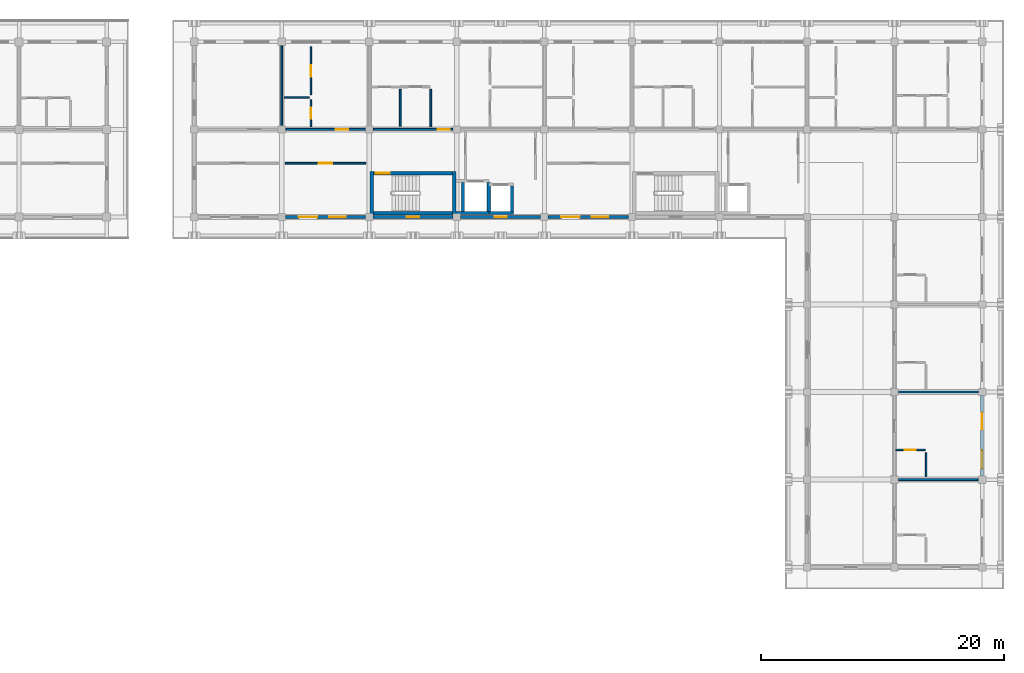
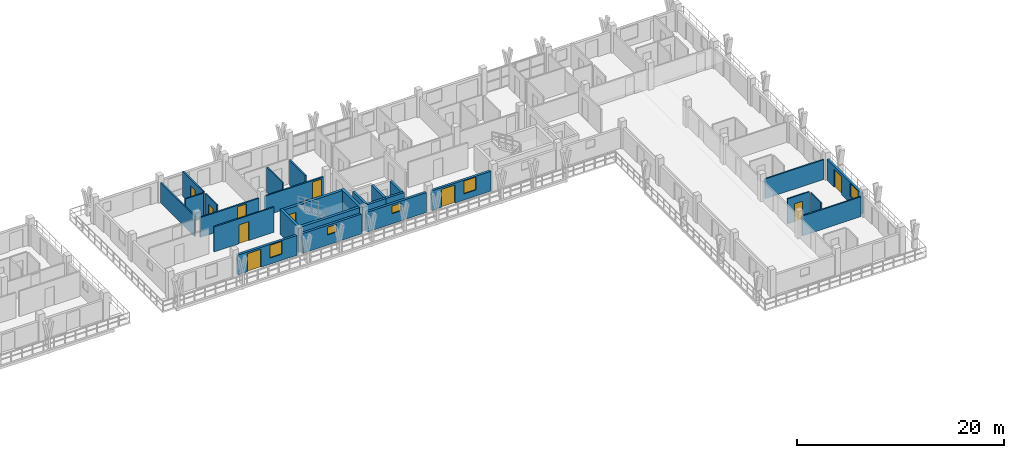
# One storey, part 57 of 78: 27 walls, 10 doors, 5 windows, 15 openings.
"""IFC4 building model written with IfcOpenShell, lengths in metres."""

from ifc_helpers import new_model, si_unit, direction, frame, frame_2d, origin, place, context, subcontext, project, spatial, rectangle, extrude, material, layer, layer_set, type_object, element, fill, save


model = new_model("IFC4")

# Units and contexts
model_context = context("Model", 3, precision=1e-05, world=origin(), true_north=direction((0.0, 1.0)))
body_context = subcontext(model_context, "Body", "Model", "MODEL_VIEW")
ifc_project = project(units=[si_unit("LENGTHUNIT", "METRE"), si_unit("AREAUNIT", "SQUARE_METRE"), si_unit("VOLUMEUNIT", "CUBIC_METRE"), si_unit("PLANEANGLEUNIT", "RADIAN"), si_unit("MASSUNIT", "GRAM", prefix="KILO")], contexts=[model_context])

# Site, building, storey
site_placement = place(None, origin())
site = spatial("IfcSite", under=ifc_project, at=site_placement, CompositionType="ELEMENT")
building_placement = place(site_placement, origin())
building = spatial("IfcBuilding", under=site, at=building_placement, Name="Suanplinth Sawtooth Commons", CompositionType="ELEMENT")
storey_placement = place(building_placement, frame((0.0, 0.0, 15.39990234375)))
storey = spatial("IfcBuildingStorey", under=building, at=storey_placement, Name="L04", CompositionType="ELEMENT", Elevation=15.39990234375)

# Wall
ifc_material_1 = material(Name="Concrete C40/50", Category="concrete")
ifc_layer_1 = layer(ifc_material_1, 0.300048828125, Name="Standard RC stair and lift core wall 300mm")
ifc_layer_set_1 = layer_set([ifc_layer_1], Name="Concrete C40/50")
wall_type_1 = type_object("IfcWallType", Name="W-CR02", PredefinedType="SHEAR", material=ifc_layer_set_1)
wall_1_placement = place(storey_placement, frame((137.14990234375, 108.300048828125, 0.0), z_axis=(0.0, 0.0, 1.0), x_axis=(1.0, 0.0, 0.0)))
element("IfcWall", 1, at=wall_1_placement, inside=storey, type_object=wall_type_1, Name="W-L04-C-B1-STS", PredefinedType="SHEAR", context=body_context, shape_type="SweptSolid", body=[
    extrude(rectangle(XDim=6.5, YDim=0.300048828125, at=frame_2d((3.25, 0.0))), origin(), (0.0, 0.0, 1.0), 2.9501953125),
])

# Wall, opening, door
wall_2_placement = place(storey_placement, frame((137.14990234375, 111.60009765625, 0.0), z_axis=(0.0, 0.0, 1.0), x_axis=(1.0, 0.0, 0.0)))
wall_2 = element("IfcWall", 2, at=wall_2_placement, inside=storey, type_object=wall_type_1, Name="W-L04-C-B1-STN", PredefinedType="SHEAR", context=body_context, shape_type="SweptSolid", body=[
    extrude(rectangle(XDim=6.5, YDim=0.300048828125, at=frame_2d((3.25, 0.0))), origin(), (0.0, 0.0, 1.0), 2.9501953125),
])
opening_1_placement = place(wall_2_placement, frame((0.179931640625, 0.0, 0.0)))
opening_1 = element("IfcOpeningElement", 3, at=opening_1_placement, cuts=wall_2, Name="Opening FD0179", PredefinedType="OPENING", context=body_context, shape_type="SweptSolid", body=[
    extrude(rectangle(XDim=1.14990234375, YDim=2.199951171875, at=frame_2d((0.574951171875, 1.10009765625))), frame((0.0, 0.1650390625, 0.0), z_axis=(0.0, -1.0, 0.0), x_axis=(1.0, 0.0, 0.0)), (0.0, 0.0, 1.0), 0.329833984375),
])
ifc_material_2 = material(Name="Teak hardwood fire-rated door assembly", Category="wood")
door_type_1 = type_object("IfcDoorType", Name="FD-01", OperationType="NOTDEFINED", PredefinedType="DOOR", material=ifc_material_2)
door_1_placement = place(opening_1_placement, frame((1.14990234375, 0.0, 0.0), z_axis=(0.0, 0.0, 1.0), x_axis=(-1.0, 0.0, 0.0)))
door_1 = element("IfcDoor", 4, at=door_1_placement, inside=storey, type_object=door_type_1, Name="Exit Stair Fire Door FD0179", OperationType="SINGLE_SWING_LEFT", OverallHeight=2.199951171875, OverallWidth=1.14990234375, PredefinedType="DOOR", context=body_context, shape_type="SweptSolid", body=[
    extrude(rectangle(XDim=1.14990234375, YDim=2.199951171875, at=frame_2d((0.574951171875, 1.10009765625))), frame((0.0, 0.02490234375, 0.0), z_axis=(0.0, -1.0, 0.0), x_axis=(1.0, 0.0, 0.0)), (0.0, 0.0, 1.0), 0.050048828125),
])
fill(opening_1, door_1)

# Walls
for number, where, z_axis, x_axis, name in (
    (5, (137.0, 108.14990234375, 0.0), (0.0, 0.0, 1.0), (0.0, 1.0, 0.0), "W-L04-C-B1-STW"),
    (6, (143.800048828125, 108.14990234375, 0.0), (0.0, 0.0, 1.0), (0.0, 1.0, 0.0), "W-L04-C-B1-STE"),
):
    element("IfcWall", number, at=place(storey_placement, frame(where, z_axis=z_axis, x_axis=x_axis)), inside=storey, type_object=wall_type_1, Name=name, PredefinedType="SHEAR", context=body_context, shape_type="SweptSolid", body=[
        extrude(rectangle(XDim=3.60009765625, YDim=0.300048828125, at=frame_2d((1.800048828125, 0.0))), origin(), (0.0, 0.0, 1.0), 2.9501953125),
    ])

# Wall, openings, door, window
ifc_material_3 = material(Name="Precast concrete C40/50", Category="concrete")
ifc_layer_2 = layer(ifc_material_3, 0.260009765625, Name="Insulated precast courtyard facade wall 260mm")
ifc_layer_set_2 = layer_set([ifc_layer_2], Name="Precast concrete C40/50")
wall_type_2 = type_object("IfcWallType", Name="W-EX02", PredefinedType="ELEMENTEDWALL", material=ifc_layer_set_2)
wall_3_placement = place(storey_placement, frame((129.89990234375, 108.0, 0.0), z_axis=(0.0, 0.0, 1.0), x_axis=(1.0, 0.0, 0.0)))
wall_3 = element("IfcWall", 7, at=wall_3_placement, inside=storey, type_object=wall_type_2, Name="Facade Wall W-L04-B-S-18-15", PredefinedType="ELEMENTEDWALL", context=body_context, shape_type="SweptSolid", body=[
    extrude(rectangle(XDim=6.60009765625, YDim=0.260009765625, at=frame_2d((3.300048828125, 0.0))), origin(), (0.0, 0.0, 1.0), 2.335205078125),
])
opening_2_placement = place(wall_3_placement, frame((1.10009765625, 0.0, 0.0)))
opening_2 = element("IfcOpeningElement", 8, at=opening_2_placement, cuts=wall_3, Name="Opening ED0338", PredefinedType="OPENING", context=body_context, shape_type="SweptSolid", body=[
    extrude(rectangle(XDim=1.5, YDim=2.1201171875, at=frame_2d((0.75, 1.06005859375))), frame((0.0, 0.14501953125, 0.0), z_axis=(0.0, -1.0, 0.0), x_axis=(1.0, 0.0, 0.0)), (0.0, 0.0, 1.0), 0.289794921875),
])
opening_3_placement = place(wall_3_placement, frame((3.60009765625, 0.0, 0.72509765625)))
opening_3 = element("IfcOpeningElement", 9, at=opening_3_placement, cuts=wall_3, Name="Opening W0436", PredefinedType="OPENING", context=body_context, shape_type="SweptSolid", body=[
    extrude(rectangle(XDim=1.35009765625, YDim=1.5, at=frame_2d((0.675048828125, 0.75))), frame((0.0, 0.14501953125, 0.0), z_axis=(0.0, -1.0, 0.0), x_axis=(1.0, 0.0, 0.0)), (0.0, 0.0, 1.0), 0.289794921875),
])
ifc_material_4 = material(Name="Anodized aluminium and low-E glass", Category="aluminium")
door_type_2 = type_object("IfcDoorType", Name="SD-03", OperationType="SLIDING_TO_LEFT", PredefinedType="DOOR", material=ifc_material_4)
door_2_placement = place(opening_2_placement, frame((1.5, 0.0, 0.0), z_axis=(0.0, 0.0, 1.0), x_axis=(-1.0, 0.0, 0.0)))
door_2 = element("IfcDoor", 10, at=door_2_placement, inside=storey, type_object=door_type_2, Name="Courtyard Balcony Door L04-B-18", OperationType="SLIDING_TO_LEFT", OverallHeight=2.1201171875, OverallWidth=1.5, PredefinedType="DOOR", context=body_context, shape_type="SweptSolid", body=[
    extrude(rectangle(XDim=1.5, YDim=2.1201171875, at=frame_2d((0.75, 1.06005859375))), frame((0.0, 0.02490234375, 0.0), z_axis=(0.0, -1.0, 0.0), x_axis=(1.0, 0.0, 0.0)), (0.0, 0.0, 1.0), 0.050048828125),
])
fill(opening_2, door_2)
ifc_material_5 = material(Name="Thermally broken aluminium and low-E double glazing", Category="aluminium")
window_type_1 = type_object("IfcWindowType", Name="WN-14", PartitioningType="SINGLE_PANEL", PredefinedType="WINDOW", material=ifc_material_5)
window_1_placement = place(opening_3_placement, origin())
window_1 = element("IfcWindow", 11, at=window_1_placement, inside=storey, type_object=window_type_1, Name="Courtyard Window L04-B-18", OverallHeight=1.5, OverallWidth=1.35009765625, PartitioningType="SINGLE_PANEL", PredefinedType="WINDOW", context=body_context, shape_type="SweptSolid", body=[
    extrude(rectangle(XDim=1.35009765625, YDim=1.5, at=frame_2d((0.675048828125, 0.75))), frame((0.0, 0.030029296875, 0.0), z_axis=(0.0, -1.0, 0.0), x_axis=(1.0, 0.0, 0.0)), (0.0, 0.0, 1.0), 0.06005859375),
])
fill(opening_3, window_1)

# Wall, opening, window
wall_4_placement = place(storey_placement, frame((137.10009765625, 108.0, 0.0), z_axis=(0.0, 0.0, 1.0), x_axis=(1.0, 0.0, 0.0)))
wall_4 = element("IfcWall", 12, at=wall_4_placement, inside=storey, type_object=wall_type_2, Name="Facade Wall W-L04-B-S-19-15", PredefinedType="ELEMENTEDWALL", context=body_context, shape_type="SweptSolid", body=[
    extrude(rectangle(XDim=6.599853515625, YDim=0.260009765625, at=frame_2d((3.2998046875, 0.0))), origin(), (0.0, 0.0, 1.0), 2.335205078125),
])
opening_4_placement = place(wall_4_placement, frame((2.800048828125, 0.0, 1.199951171875)))
opening_4 = element("IfcOpeningElement", 13, at=opening_4_placement, cuts=wall_4, Name="Opening W0438", PredefinedType="OPENING", context=body_context, shape_type="SweptSolid", body=[
    extrude(rectangle(XDim=1.0, YDim=0.89990234375, at=frame_2d((0.5, 0.449951171875))), frame((0.0, 0.14501953125, 0.0), z_axis=(0.0, -1.0, 0.0), x_axis=(1.0, 0.0, 0.0)), (0.0, 0.0, 1.0), 0.289794921875),
])
window_type_2 = type_object("IfcWindowType", Name="WN-12", PartitioningType="SINGLE_PANEL", PredefinedType="WINDOW", material=ifc_material_5)
window_2_placement = place(opening_4_placement, origin())
window_2 = element("IfcWindow", 14, at=window_2_placement, inside=storey, type_object=window_type_2, Name="Core Daylight Window L04-B-19-15", OverallHeight=0.89990234375, OverallWidth=1.0, PartitioningType="SINGLE_PANEL", PredefinedType="WINDOW", context=body_context, shape_type="SweptSolid", body=[
    extrude(rectangle(XDim=1.0, YDim=0.89990234375, at=frame_2d((0.5, 0.449951171875))), frame((0.0, 0.030029296875, 0.0), z_axis=(0.0, -1.0, 0.0), x_axis=(1.0, 0.0, 0.0)), (0.0, 0.0, 1.0), 0.06005859375),
])
fill(opening_4, window_2)

wall_5_placement = place(storey_placement, frame((144.300048828125, 108.0, 0.0), z_axis=(0.0, 0.0, 1.0), x_axis=(1.0, 0.0, 0.0)))
wall_5 = element("IfcWall", 15, at=wall_5_placement, inside=storey, type_object=wall_type_2, Name="Facade Wall W-L04-B-S-20-15", PredefinedType="ELEMENTEDWALL", context=body_context, shape_type="SweptSolid", body=[
    extrude(rectangle(XDim=6.599853515625, YDim=0.260009765625, at=frame_2d((3.2998046875, 0.0))), origin(), (0.0, 0.0, 1.0), 2.335205078125),
])
opening_5_placement = place(wall_5_placement, frame((2.800048828125, 0.0, 1.199951171875)))
opening_5 = element("IfcOpeningElement", 16, at=opening_5_placement, cuts=wall_5, Name="Opening W0440", PredefinedType="OPENING", context=body_context, shape_type="SweptSolid", body=[
    extrude(rectangle(XDim=1.0, YDim=0.89990234375, at=frame_2d((0.5, 0.449951171875))), frame((0.0, 0.14501953125, 0.0), z_axis=(0.0, -1.0, 0.0), x_axis=(1.0, 0.0, 0.0)), (0.0, 0.0, 1.0), 0.289794921875),
])
window_3_placement = place(opening_5_placement, origin())
window_3 = element("IfcWindow", 17, at=window_3_placement, inside=storey, type_object=window_type_2, Name="Core Daylight Window L04-B-20-15", OverallHeight=0.89990234375, OverallWidth=1.0, PartitioningType="SINGLE_PANEL", PredefinedType="WINDOW", context=body_context, shape_type="SweptSolid", body=[
    extrude(rectangle(XDim=1.0, YDim=0.89990234375, at=frame_2d((0.5, 0.449951171875))), frame((0.0, 0.030029296875, 0.0), z_axis=(0.0, -1.0, 0.0), x_axis=(1.0, 0.0, 0.0)), (0.0, 0.0, 1.0), 0.06005859375),
])
fill(opening_5, window_3)

# Wall, openings, door, window
wall_6_placement = place(storey_placement, frame((151.5, 108.0, 0.0), z_axis=(0.0, 0.0, 1.0), x_axis=(1.0, 0.0, 0.0)))
wall_6 = element("IfcWall", 18, at=wall_6_placement, inside=storey, type_object=wall_type_2, Name="Facade Wall W-L04-B-S-21-15", PredefinedType="ELEMENTEDWALL", context=body_context, shape_type="SweptSolid", body=[
    extrude(rectangle(XDim=6.60009765625, YDim=0.260009765625, at=frame_2d((3.300048828125, 0.0))), origin(), (0.0, 0.0, 1.0), 2.335205078125),
])
opening_6_placement = place(wall_6_placement, frame((1.10009765625, 0.0, 0.0)))
opening_6 = element("IfcOpeningElement", 19, at=opening_6_placement, cuts=wall_6, Name="Opening ED0341", PredefinedType="OPENING", context=body_context, shape_type="SweptSolid", body=[
    extrude(rectangle(XDim=1.5, YDim=2.1201171875, at=frame_2d((0.75, 1.06005859375))), frame((0.0, 0.14501953125, 0.0), z_axis=(0.0, -1.0, 0.0), x_axis=(1.0, 0.0, 0.0)), (0.0, 0.0, 1.0), 0.289794921875),
])
opening_7_placement = place(wall_6_placement, frame((3.60009765625, 0.0, 0.72509765625)))
opening_7 = element("IfcOpeningElement", 20, at=opening_7_placement, cuts=wall_6, Name="Opening W0441", PredefinedType="OPENING", context=body_context, shape_type="SweptSolid", body=[
    extrude(rectangle(XDim=1.35009765625, YDim=1.5, at=frame_2d((0.675048828125, 0.75))), frame((0.0, 0.14501953125, 0.0), z_axis=(0.0, -1.0, 0.0), x_axis=(1.0, 0.0, 0.0)), (0.0, 0.0, 1.0), 0.289794921875),
])
door_3_placement = place(opening_6_placement, frame((1.5, 0.0, 0.0), z_axis=(0.0, 0.0, 1.0), x_axis=(-1.0, 0.0, 0.0)))
door_3 = element("IfcDoor", 21, at=door_3_placement, inside=storey, type_object=door_type_2, Name="Courtyard Balcony Door L04-B-21", OperationType="SLIDING_TO_LEFT", OverallHeight=2.1201171875, OverallWidth=1.5, PredefinedType="DOOR", context=body_context, shape_type="SweptSolid", body=[
    extrude(rectangle(XDim=1.5, YDim=2.1201171875, at=frame_2d((0.75, 1.06005859375))), frame((0.0, 0.02490234375, 0.0), z_axis=(0.0, -1.0, 0.0), x_axis=(1.0, 0.0, 0.0)), (0.0, 0.0, 1.0), 0.050048828125),
])
fill(opening_6, door_3)
window_4_placement = place(opening_7_placement, origin())
window_4 = element("IfcWindow", 22, at=window_4_placement, inside=storey, type_object=window_type_1, Name="Courtyard Window L04-B-21", OverallHeight=1.5, OverallWidth=1.35009765625, PartitioningType="SINGLE_PANEL", PredefinedType="WINDOW", context=body_context, shape_type="SweptSolid", body=[
    extrude(rectangle(XDim=1.35009765625, YDim=1.5, at=frame_2d((0.675048828125, 0.75))), frame((0.0, 0.030029296875, 0.0), z_axis=(0.0, -1.0, 0.0), x_axis=(1.0, 0.0, 0.0)), (0.0, 0.0, 1.0), 0.06005859375),
])
fill(opening_7, window_4)

wall_7_placement = place(storey_placement, frame((187.199951171875, 86.699951171875, 0.0), z_axis=(0.0, 0.0, 1.0), x_axis=(0.0, 1.0, 0.0)))
wall_7 = element("IfcWall", 23, at=wall_7_placement, inside=storey, type_object=wall_type_2, Name="Facade Wall W-L04-B-E-25-12", PredefinedType="ELEMENTEDWALL", context=body_context, shape_type="SweptSolid", body=[
    extrude(rectangle(XDim=6.60009765625, YDim=0.260009765625, at=frame_2d((3.300048828125, 0.0))), origin(), (0.0, 0.0, 1.0), 2.43017578125),
])
opening_8_placement = place(wall_7_placement, frame((3.800048828125, 0.0, 0.0)))
opening_8 = element("IfcOpeningElement", 24, at=opening_8_placement, cuts=wall_7, Name="Opening ED0351", PredefinedType="OPENING", context=body_context, shape_type="SweptSolid", body=[
    extrude(rectangle(XDim=1.39990234375, YDim=2.10009765625, at=frame_2d((0.699951171875, 1.050048828125))), frame((0.0, 0.14501953125, 0.0), z_axis=(0.0, -1.0, 0.0), x_axis=(1.0, 0.0, 0.0)), (0.0, 0.0, 1.0), 0.289794921875),
])
opening_9_placement = place(wall_7_placement, frame((0.60009765625, 0.0, 0.81005859375)))
opening_9 = element("IfcOpeningElement", 25, at=opening_9_placement, cuts=wall_7, Name="Opening W0449", PredefinedType="OPENING", context=body_context, shape_type="SweptSolid", body=[
    extrude(rectangle(XDim=1.5, YDim=1.5, at=frame_2d((0.75, 0.75))), frame((0.0, 0.14501953125, 0.0), z_axis=(0.0, -1.0, 0.0), x_axis=(1.0, 0.0, 0.0)), (0.0, 0.0, 1.0), 0.289794921875),
])
door_type_3 = type_object("IfcDoorType", Name="SD-07", OperationType="SLIDING_TO_RIGHT", PredefinedType="DOOR", material=ifc_material_4)
door_4_placement = place(opening_8_placement, frame((1.39990234375, 0.0, 0.0), z_axis=(0.0, 0.0, 1.0), x_axis=(-1.0, 0.0, 0.0)))
door_4 = element("IfcDoor", 26, at=door_4_placement, inside=storey, type_object=door_type_3, Name="Wing Balcony Sliding Door L04-B-12", OperationType="SLIDING_TO_RIGHT", OverallHeight=2.10009765625, OverallWidth=1.39990234375, PredefinedType="DOOR", context=body_context, shape_type="SweptSolid", body=[
    extrude(rectangle(XDim=1.39990234375, YDim=2.10009765625, at=frame_2d((0.699951171875, 1.050048828125))), frame((0.0, 0.02490234375, 0.0), z_axis=(0.0, -1.0, 0.0), x_axis=(1.0, 0.0, 0.0)), (0.0, 0.0, 1.0), 0.050048828125),
])
fill(opening_8, door_4)
window_type_3 = type_object("IfcWindowType", Name="WN-02", PartitioningType="DOUBLE_PANEL_VERTICAL", PredefinedType="WINDOW", material=ifc_material_5)
window_5_placement = place(opening_9_placement, origin())
window_5 = element("IfcWindow", 27, at=window_5_placement, inside=storey, type_object=window_type_3, Name="Wing Window L04-B-12", OverallHeight=1.5, OverallWidth=1.5, PartitioningType="DOUBLE_PANEL_VERTICAL", PredefinedType="WINDOW", context=body_context, shape_type="SweptSolid", body=[
    extrude(rectangle(XDim=1.5, YDim=1.5, at=frame_2d((0.75, 0.75))), frame((0.0, 0.030029296875, 0.0), z_axis=(0.0, -1.0, 0.0), x_axis=(1.0, 0.0, 0.0)), (0.0, 0.0, 1.0), 0.06005859375),
])
fill(opening_9, window_5)

# Wall, opening, door
ifc_layer_3 = layer(ifc_material_3, 0.159912109375, Name="Fire-rated corridor and lobby wall 160mm")
ifc_layer_set_3 = layer_set([ifc_layer_3], Name="Precast concrete C40/50")
wall_type_3 = type_object("IfcWallType", Name="W-FW01", PredefinedType="PARTITIONING", material=ifc_layer_set_3)
wall_8_placement = place(storey_placement, frame((129.929931640625, 115.199951171875, 0.0), z_axis=(0.0, 0.0, 1.0), x_axis=(1.0, 0.0, 0.0)))
wall_8 = element("IfcWall", 28, at=wall_8_placement, inside=storey, type_object=wall_type_3, Name="W-B-L04-U02-COR", PredefinedType="PARTITIONING", context=body_context, shape_type="SweptSolid", body=[
    extrude(rectangle(XDim=6.5400390625, YDim=0.159912109375, at=frame_2d((3.27001953125, 0.0))), origin(), (0.0, 0.0, 1.0), 2.335205078125),
])
opening_10_placement = place(wall_8_placement, frame((4.1201171875, 0.0, 0.0)))
opening_10 = element("IfcOpeningElement", 29, at=opening_10_placement, cuts=wall_8, Name="Opening FD1096", PredefinedType="OPENING", context=body_context, shape_type="SweptSolid", body=[
    extrude(rectangle(XDim=1.0, YDim=2.14990234375, at=frame_2d((0.5, 1.074951171875))), frame((0.0, 0.0947265625, 0.0), z_axis=(0.0, -1.0, 0.0), x_axis=(1.0, 0.0, 0.0)), (0.0, 0.0, 1.0), 0.189697265625),
])
door_type_4 = type_object("IfcDoorType", Name="FD-03", OperationType="NOTDEFINED", PredefinedType="DOOR", material=ifc_material_2)
door_5_placement = place(opening_10_placement, origin())
door_5 = element("IfcDoor", 30, at=door_5_placement, inside=storey, type_object=door_type_4, Name="Unit Entrance Door FD1096", OperationType="SINGLE_SWING_RIGHT", OverallHeight=2.14990234375, OverallWidth=1.0, PredefinedType="DOOR", context=body_context, shape_type="SweptSolid", body=[
    extrude(rectangle(XDim=1.0, YDim=2.14990234375, at=frame_2d((0.5, 1.074951171875))), frame((0.0, 0.02490234375, 0.0), z_axis=(0.0, -1.0, 0.0), x_axis=(1.0, 0.0, 0.0)), (0.0, 0.0, 1.0), 0.050048828125),
])
fill(opening_10, door_5)

wall_9_placement = place(storey_placement, frame((137.1298828125, 115.199951171875, 0.0), z_axis=(0.0, 0.0, 1.0), x_axis=(1.0, 0.0, 0.0)))
wall_9 = element("IfcWall", 31, at=wall_9_placement, inside=storey, type_object=wall_type_3, Name="W-B-L04-U03-COR-S1", PredefinedType="PARTITIONING", context=body_context, shape_type="SweptSolid", body=[
    extrude(rectangle(XDim=6.5400390625, YDim=0.159912109375, at=frame_2d((3.27001953125, 0.0))), origin(), (0.0, 0.0, 1.0), 2.335205078125),
])
opening_11_placement = place(wall_9_placement, frame((5.300048828125, 0.0, 0.0)))
opening_11 = element("IfcOpeningElement", 32, at=opening_11_placement, cuts=wall_9, Name="Opening FD1099", PredefinedType="OPENING", context=body_context, shape_type="SweptSolid", body=[
    extrude(rectangle(XDim=1.0, YDim=2.14990234375, at=frame_2d((0.5, 1.074951171875))), frame((0.0, 0.0947265625, 0.0), z_axis=(0.0, -1.0, 0.0), x_axis=(1.0, 0.0, 0.0)), (0.0, 0.0, 1.0), 0.189697265625),
])
door_6_placement = place(opening_11_placement, origin())
door_6 = element("IfcDoor", 33, at=door_6_placement, inside=storey, type_object=door_type_4, Name="Unit Entrance Door FD1099", OperationType="SINGLE_SWING_LEFT", OverallHeight=2.14990234375, OverallWidth=1.0, PredefinedType="DOOR", context=body_context, shape_type="SweptSolid", body=[
    extrude(rectangle(XDim=1.0, YDim=2.14990234375, at=frame_2d((0.5, 1.074951171875))), frame((0.0, 0.02490234375, 0.0), z_axis=(0.0, -1.0, 0.0), x_axis=(1.0, 0.0, 0.0)), (0.0, 0.0, 1.0), 0.050048828125),
])
fill(opening_11, door_6)

wall_10_placement = place(storey_placement, frame((129.8798828125, 112.419921875, 0.0), z_axis=(0.0, 0.0, 1.0), x_axis=(1.0, 0.0, 0.0)))
wall_10 = element("IfcWall", 34, at=wall_10_placement, inside=storey, type_object=wall_type_3, Name="W-B-L04-COURTROOM-32-COR", PredefinedType="PARTITIONING", context=body_context, shape_type="SweptSolid", body=[
    extrude(rectangle(XDim=6.64013671875, YDim=0.159912109375, at=frame_2d((3.320068359375, 0.0))), origin(), (0.0, 0.0, 1.0), 2.9501953125),
])
opening_12_placement = place(wall_10_placement, frame((2.780029296875, 0.0, 0.0)))
opening_12 = element("IfcOpeningElement", 35, at=opening_12_placement, cuts=wall_10, Name="Opening D1120", PredefinedType="OPENING", context=body_context, shape_type="SweptSolid", body=[
    extrude(rectangle(XDim=1.080078125, YDim=2.219970703125, at=frame_2d((0.5400390625, 1.10986328125))), frame((0.0, 0.0947265625, 0.0), z_axis=(0.0, -1.0, 0.0), x_axis=(1.0, 0.0, 0.0)), (0.0, 0.0, 1.0), 0.189697265625),
])
ifc_material_6 = material(Name="Teak hardwood", Category="wood")
door_type_5 = type_object("IfcDoorType", Name="D-17", OperationType="NOTDEFINED", PredefinedType="DOOR", material=ifc_material_6)
door_7_placement = place(opening_12_placement, frame((1.080078125, 0.0, 0.0), z_axis=(0.0, 0.0, 1.0), x_axis=(-1.0, 0.0, 0.0)))
door_7 = element("IfcDoor", 36, at=door_7_placement, inside=storey, type_object=door_type_5, Name="Study Studio Door D1120", OperationType="SINGLE_SWING_RIGHT", OverallHeight=2.219970703125, OverallWidth=1.080078125, PredefinedType="DOOR", context=body_context, shape_type="SweptSolid", body=[
    extrude(rectangle(XDim=1.080078125, YDim=2.219970703125, at=frame_2d((0.5400390625, 1.10986328125))), frame((0.0, 0.02490234375, 0.0), z_axis=(0.0, -1.0, 0.0), x_axis=(1.0, 0.0, 0.0)), (0.0, 0.0, 1.0), 0.050048828125),
])
fill(opening_12, door_7)

# Walls
ifc_layer_4 = layer(ifc_material_3, 0.14990234375, Name="Acoustic precast party demising wall 150mm")
ifc_layer_set_4 = layer_set([ifc_layer_4], Name="Precast concrete C40/50")
wall_type_4 = type_object("IfcWallType", Name="W-FW02", PredefinedType="PARTITIONING", material=ifc_layer_set_4)
wall_11_placement = place(storey_placement, frame((129.60009765625, 115.530029296875, 0.0), z_axis=(0.0, 0.0, 1.0), x_axis=(0.0, 1.0, 0.0)))
element("IfcWall", 37, at=wall_11_placement, inside=storey, type_object=wall_type_4, Name="W-B-L04-U01-PTY", PredefinedType="PARTITIONING", context=body_context, shape_type="SweptSolid", body=[
    extrude(rectangle(XDim=6.5400390625, YDim=0.14990234375, at=frame_2d((3.27001953125, 0.0))), origin(), (0.0, 0.0, 1.0), 2.385009765625),
])
for number, where, z_axis, x_axis, name in (
    (38, (180.330078125, 86.39990234375, 0.0), (0.0, 0.0, 1.0), (1.0, 0.0, 0.0), "W-B-L04-L01-PTY"),
    (39, (180.330078125, 93.60009765625, 0.0), (0.0, 0.0, 1.0), (1.0, 0.0, 0.0), "W-B-L04-L02-PTY"),
):
    element("IfcWall", number, at=place(storey_placement, frame(where, z_axis=z_axis, x_axis=x_axis)), inside=storey, type_object=wall_type_4, Name=name, PredefinedType="PARTITIONING", context=body_context, shape_type="SweptSolid", body=[
        extrude(rectangle(XDim=6.5400390625, YDim=0.14990234375, at=frame_2d((3.27001953125, 0.0))), origin(), (0.0, 0.0, 1.0), 2.335205078125),
    ])

# Wall, opening, door
ifc_material_7 = material(Name="Gypsum plasterboard on steel stud", Category="steel")
ifc_layer_5 = layer(ifc_material_7, 0.139892578125, Name="Fire-rated kitchen partition 140mm")
ifc_layer_set_5 = layer_set([ifc_layer_5], Name="Gypsum plasterboard on steel stud")
wall_type_5 = type_object("IfcWallType", Name="W-PT01", PredefinedType="PARTITIONING", material=ifc_layer_set_5)
wall_12_placement = place(storey_placement, frame((131.9951171875, 118.0400390625, 0.0), z_axis=(0.0, 0.0, 1.0), x_axis=(0.0, 1.0, 0.0)))
wall_12 = element("IfcWall", 40, at=wall_12_placement, inside=storey, type_object=wall_type_5, Name="W-B-L04-U02-KITE", PredefinedType="PARTITIONING", context=body_context, shape_type="SweptSolid", body=[
    extrude(rectangle(XDim=3.93994140625, YDim=0.139892578125, at=frame_2d((1.969970703125, 0.0))), origin(), (0.0, 0.0, 1.0), 2.9501953125),
])
opening_13_placement = place(wall_12_placement, frame((1.5048828125, 0.0, 0.0)))
opening_13 = element("IfcOpeningElement", 41, at=opening_13_placement, cuts=wall_12, Name="Opening D1098", PredefinedType="OPENING", context=body_context, shape_type="SweptSolid", body=[
    extrude(rectangle(XDim=0.929931640625, YDim=2.139892578125, at=frame_2d((0.46484375, 1.06982421875))), frame((0.0, 0.0849609375, 0.0), z_axis=(0.0, -1.0, 0.0), x_axis=(1.0, 0.0, 0.0)), (0.0, 0.0, 1.0), 0.169677734375),
])
door_type_6 = type_object("IfcDoorType", Name="D-19", OperationType="NOTDEFINED", PredefinedType="DOOR", material=ifc_material_6)
door_8_placement = place(opening_13_placement, origin())
door_8 = element("IfcDoor", 42, at=door_8_placement, inside=storey, type_object=door_type_6, Name="Kitchen Door D1098", OperationType="SINGLE_SWING_RIGHT", OverallHeight=2.139892578125, OverallWidth=0.929931640625, PredefinedType="DOOR", context=body_context, shape_type="SweptSolid", body=[
    extrude(rectangle(XDim=0.929931640625, YDim=2.139892578125, at=frame_2d((0.46484375, 1.06982421875))), frame((0.0, 0.02490234375, 0.0), z_axis=(0.0, -1.0, 0.0), x_axis=(1.0, 0.0, 0.0)), (0.0, 0.0, 1.0), 0.050048828125),
])
fill(opening_13, door_8)

# Walls
wall_13_placement = place(storey_placement, frame((141.85009765625, 115.429931640625, 0.0), z_axis=(0.0, 0.0, 1.0), x_axis=(0.0, 1.0, 0.0)))
element("IfcWall", 43, at=wall_13_placement, inside=storey, type_object=wall_type_5, Name="W-B-L04-U03-KIT2", PredefinedType="PARTITIONING", context=body_context, shape_type="SweptSolid", body=[
    extrude(rectangle(XDim=3.06005859375, YDim=0.139892578125, at=frame_2d((1.530029296875, 0.0))), origin(), (0.0, 0.0, 1.0), 2.9501953125),
])
ifc_layer_6 = layer(ifc_material_7, 0.1298828125, Name="Moisture-resistant bathroom partition 130mm")
ifc_layer_set_6 = layer_set([ifc_layer_6], Name="Gypsum plasterboard on steel stud")
wall_type_6 = type_object("IfcWallType", Name="W-PT02", PredefinedType="PARTITIONING", material=ifc_layer_set_6)
wall_14_placement = place(storey_placement, frame((129.800048828125, 117.840087890625, 0.0), z_axis=(0.0, 0.0, 1.0), x_axis=(1.0, 0.0, 0.0)))
element("IfcWall", 44, at=wall_14_placement, inside=storey, type_object=wall_type_6, Name="W-B-L04-U02-STDIV", PredefinedType="PARTITIONING", context=body_context, shape_type="SweptSolid", body=[
    extrude(rectangle(XDim=2.050048828125, YDim=0.1298828125, at=frame_2d((1.02490234375, 0.0))), origin(), (0.0, 0.0, 1.0), 2.9501953125),
])

# Wall, opening, door
wall_15_placement = place(storey_placement, frame((131.9951171875, 115.419921875, 0.0), z_axis=(0.0, 0.0, 1.0), x_axis=(0.0, 1.0, 0.0)))
wall_15 = element("IfcWall", 45, at=wall_15_placement, inside=storey, type_object=wall_type_6, Name="W-B-L04-U02-BTHE", PredefinedType="PARTITIONING", context=body_context, shape_type="SweptSolid", body=[
    extrude(rectangle(XDim=2.219970703125, YDim=0.1298828125, at=frame_2d((1.10986328125, 0.0))), origin(), (0.0, 0.0, 1.0), 2.9501953125),
])
opening_14_placement = place(wall_15_placement, frame((0.669921875, 0.0, 0.0)))
opening_14 = element("IfcOpeningElement", 46, at=opening_14_placement, cuts=wall_15, Name="Opening D1097", PredefinedType="OPENING", context=body_context, shape_type="SweptSolid", body=[
    extrude(rectangle(XDim=0.8798828125, YDim=2.10009765625, at=frame_2d((0.43994140625, 1.050048828125))), frame((0.0, 0.079833984375, 0.0), z_axis=(0.0, -1.0, 0.0), x_axis=(1.0, 0.0, 0.0)), (0.0, 0.0, 1.0), 0.15966796875),
])
door_type_7 = type_object("IfcDoorType", Name="D-14", OperationType="NOTDEFINED", PredefinedType="DOOR", material=ifc_material_6)
door_9_placement = place(opening_14_placement, origin())
door_9 = element("IfcDoor", 47, at=door_9_placement, inside=storey, type_object=door_type_7, Name="Bathroom Door D1097", OperationType="SINGLE_SWING_LEFT", OverallHeight=2.10009765625, OverallWidth=0.8798828125, PredefinedType="DOOR", context=body_context, shape_type="SweptSolid", body=[
    extrude(rectangle(XDim=0.8798828125, YDim=2.10009765625, at=frame_2d((0.43994140625, 1.050048828125))), frame((0.0, 0.02490234375, 0.0), z_axis=(0.0, -1.0, 0.0), x_axis=(1.0, 0.0, 0.0)), (0.0, 0.0, 1.0), 0.050048828125),
])
fill(opening_14, door_9)

# Wall
wall_16_placement = place(storey_placement, frame((139.344970703125, 115.4599609375, 0.0), z_axis=(0.0, 0.0, 1.0), x_axis=(0.0, 1.0, 0.0)))
element("IfcWall", 48, at=wall_16_placement, inside=storey, type_object=wall_type_6, Name="W-B-L04-U03-BTH2", PredefinedType="PARTITIONING", context=body_context, shape_type="SweptSolid", body=[
    extrude(rectangle(XDim=3.0400390625, YDim=0.1298828125, at=frame_2d((1.52001953125, 0.0))), origin(), (0.0, 0.0, 1.0), 2.9501953125),
])

# Wall, opening, door
wall_17_placement = place(storey_placement, frame((180.080078125, 88.844970703125, 0.0), z_axis=(0.0, 0.0, 1.0), x_axis=(1.0, 0.0, 0.0)))
wall_17 = element("IfcWall", 49, at=wall_17_placement, inside=storey, type_object=wall_type_6, Name="W-B-L04-L02-BTH1", PredefinedType="PARTITIONING", context=body_context, shape_type="SweptSolid", body=[
    extrude(rectangle(XDim=2.449951171875, YDim=0.1298828125, at=frame_2d((1.22509765625, 0.0))), origin(), (0.0, 0.0, 1.0), 2.9501953125),
])
opening_15_placement = place(wall_17_placement, frame((0.77490234375, 0.0, 0.0)))
opening_15 = element("IfcOpeningElement", 50, at=opening_15_placement, cuts=wall_17, Name="Opening D1126", PredefinedType="OPENING", context=body_context, shape_type="SweptSolid", body=[
    extrude(rectangle(XDim=0.89990234375, YDim=2.10009765625, at=frame_2d((0.449951171875, 1.050048828125))), frame((0.0, 0.079833984375, 0.0), z_axis=(0.0, -1.0, 0.0), x_axis=(1.0, 0.0, 0.0)), (0.0, 0.0, 1.0), 0.15966796875),
])
door_type_8 = type_object("IfcDoorType", Name="D-01", OperationType="NOTDEFINED", PredefinedType="DOOR", material=ifc_material_6)
door_10_placement = place(opening_15_placement, frame((0.89990234375, 0.0, 0.0), z_axis=(0.0, 0.0, 1.0), x_axis=(-1.0, 0.0, 0.0)))
door_10 = element("IfcDoor", 51, at=door_10_placement, inside=storey, type_object=door_type_8, Name="Bathroom Door D1126", OperationType="SINGLE_SWING_RIGHT", OverallHeight=2.10009765625, OverallWidth=0.89990234375, PredefinedType="DOOR", context=body_context, shape_type="SweptSolid", body=[
    extrude(rectangle(XDim=0.89990234375, YDim=2.10009765625, at=frame_2d((0.449951171875, 1.050048828125))), frame((0.0, 0.02490234375, 0.0), z_axis=(0.0, -1.0, 0.0), x_axis=(1.0, 0.0, 0.0)), (0.0, 0.0, 1.0), 0.050048828125),
])
fill(opening_15, door_10)

# Walls
wall_18_placement = place(storey_placement, frame((182.594970703125, 86.6298828125, 0.0), z_axis=(0.0, 0.0, 1.0), x_axis=(0.0, 1.0, 0.0)))
element("IfcWall", 52, at=wall_18_placement, inside=storey, type_object=wall_type_6, Name="W-B-L04-L02-BTH2", PredefinedType="PARTITIONING", context=body_context, shape_type="SweptSolid", body=[
    extrude(rectangle(XDim=2.0, YDim=0.1298828125, at=frame_2d((1.0, 0.0))), origin(), (0.0, 0.0, 1.0), 2.9501953125),
])
ifc_layer_7 = layer(ifc_material_3, 0.25, Name="Precast structural shear wall 250mm")
ifc_layer_set_7 = layer_set([ifc_layer_7], Name="Precast concrete C40/50")
wall_type_7 = type_object("IfcWallType", Name="W-SH01", PredefinedType="SHEAR", material=ifc_layer_set_7)
wall_19_placement = place(storey_placement, frame((143.949951171875, 108.324951171875, 0.0), z_axis=(0.0, 0.0, 1.0), x_axis=(1.0, 0.0, 0.0)))
element("IfcWall", 53, at=wall_19_placement, inside=storey, type_object=wall_type_7, Name="W-L04-FL2-S", PredefinedType="SHEAR", context=body_context, shape_type="SweptSolid", body=[
    extrude(rectangle(XDim=2.675048828125, YDim=0.25, at=frame_2d((1.33740234375, 0.0))), origin(), (0.0, 0.0, 1.0), 2.9501953125),
])
for number, where, z_axis, x_axis, name in (
    (54, (144.52490234375, 108.449951171875, 0.0), (0.0, 0.0, 1.0), (0.0, 1.0, 0.0), "W-L04-FL2-W"),
    (55, (146.625, 108.449951171875, 0.0), (0.0, 0.0, 1.0), (0.0, 1.0, 0.0), "W-L04-FL2-DIV"),
):
    element("IfcWall", number, at=place(storey_placement, frame(where, z_axis=z_axis, x_axis=x_axis)), inside=storey, type_object=wall_type_7, Name=name, PredefinedType="SHEAR", context=body_context, shape_type="SweptSolid", body=[
        extrude(rectangle(XDim=2.400146484375, YDim=0.25, at=frame_2d((1.2001953125, 0.0))), origin(), (0.0, 0.0, 1.0), 2.9501953125),
    ])
wall_20_placement = place(storey_placement, frame((146.625, 108.324951171875, 0.0), z_axis=(0.0, 0.0, 1.0), x_axis=(1.0, 0.0, 0.0)))
element("IfcWall", 56, at=wall_20_placement, inside=storey, type_object=wall_type_7, Name="W-L04-LF3-S", PredefinedType="SHEAR", context=body_context, shape_type="SweptSolid", body=[
    extrude(rectangle(XDim=2.02490234375, YDim=0.25, at=frame_2d((1.012451171875, 0.0))), origin(), (0.0, 0.0, 1.0), 2.9501953125),
])
wall_21_placement = place(storey_placement, frame((148.52490234375, 108.449951171875, 0.0), z_axis=(0.0, 0.0, 1.0), x_axis=(0.0, 1.0, 0.0)))
element("IfcWall", 57, at=wall_21_placement, inside=storey, type_object=wall_type_7, Name="W-L04-LF3-E", PredefinedType="SHEAR", context=body_context, shape_type="SweptSolid", body=[
    extrude(rectangle(XDim=2.10009765625, YDim=0.25, at=frame_2d((1.050048828125, 0.0))), origin(), (0.0, 0.0, 1.0), 2.9501953125),
])

save(model, "model.ifc")
